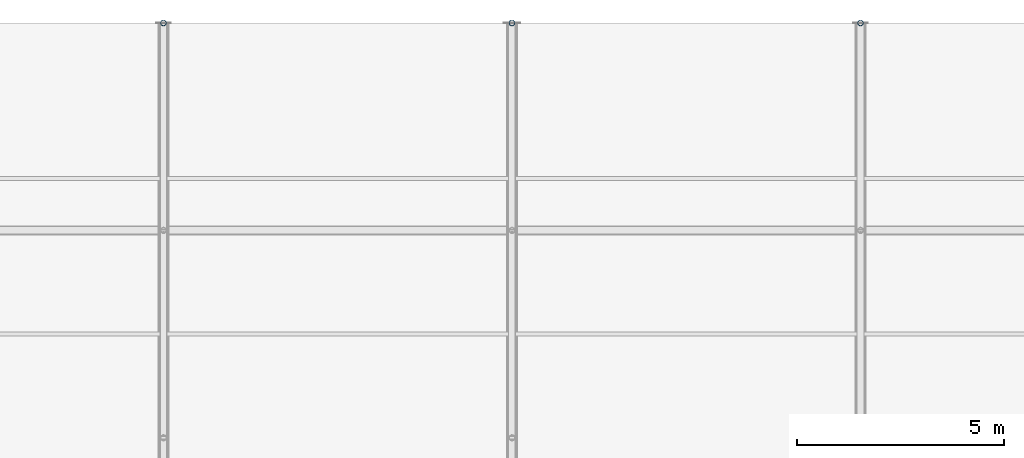
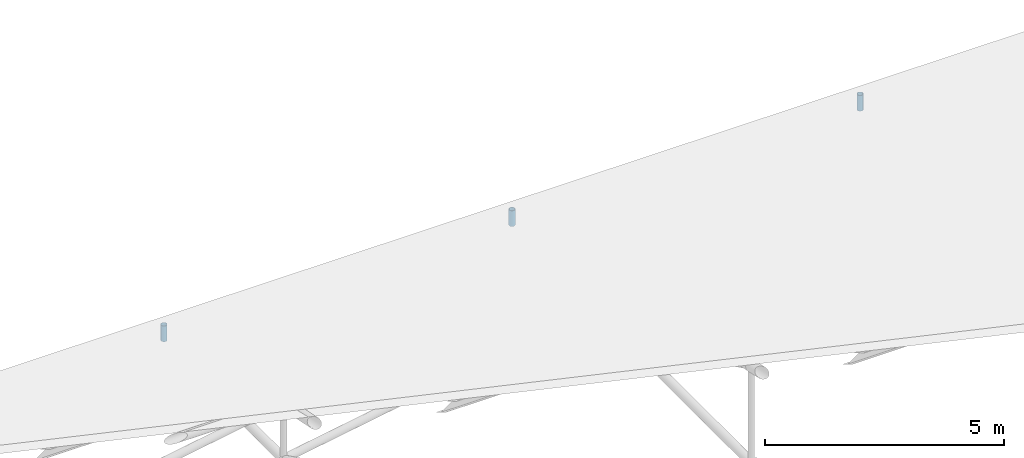
# One storey, part 149 of 194: 3 members.
"""IFC4 building model written with IfcOpenShell, lengths in metres."""

from ifc_helpers import new_model, si_unit, direction, frame, origin, origin_2d, place, context, subcontext, project, spatial, hollow_circle, extrude, material, material_profile, profile_set, type_object, element, save


model = new_model("IFC4")

# Units and contexts
model_context = context("Model", 3, precision=1e-05, world=origin(), true_north=direction((0.0, 1.0)))
body_context = subcontext(model_context, "Body", "Model", "MODEL_VIEW")
ifc_project = project(units=[si_unit("LENGTHUNIT", "METRE"), si_unit("AREAUNIT", "SQUARE_METRE"), si_unit("VOLUMEUNIT", "CUBIC_METRE"), si_unit("PLANEANGLEUNIT", "RADIAN"), si_unit("MASSUNIT", "GRAM", prefix="KILO")], contexts=[model_context])

# Site, building, storey
site_placement = place(None, origin())
site = spatial("IfcSite", under=ifc_project, at=site_placement, CompositionType="ELEMENT")
building_placement = place(site_placement, origin())
building = spatial("IfcBuilding", under=site, at=building_placement, Name="Kazenagashi Tramway Depot", CompositionType="ELEMENT")
storey_placement = place(building_placement, frame((0.0, 0.0, 23.7)))
storey = spatial("IfcBuildingStorey", under=building, at=storey_placement, Name="ROOF", CompositionType="ELEMENT", Elevation=23.7)

# Members
ifc_material = material(Name="Steel STK490", Category="steel")
ifc_material_profile = material_profile(ifc_material, hollow_circle(Radius=0.0699, WallThickness=0.0066, at=origin_2d()), Name="CHS-139.8x6.6")
ifc_profile_set = profile_set([ifc_material_profile], Name="Steel STK490")
member_type = type_object("IfcMemberType", Name="TS-02", PredefinedType="STRUT", material=ifc_profile_set)
for number, where, z_axis, x_axis, name in (
    (1, (70.0, 130.0, -14.1), (0.0, 0.0, 1.0), (1.0, 0.0, 0.0), "Tubular Space Frame TS-02 MEM-0238"),
    (2, (78.4, 130.0, -14.1), (0.0, 0.0, 1.0), (1.0, 0.0, 0.0), "Tubular Space Frame TS-02 MEM-0299"),
    (3, (86.8, 130.0, -14.1), (0.0, 0.0, 1.0), (1.0, 0.0, 0.0), "Tubular Space Frame TS-02 MEM-0360"),
):
    element("IfcMember", number, at=place(storey_placement, frame(where, z_axis=z_axis, x_axis=x_axis)), inside=storey, type_object=member_type, Name=name, PredefinedType="STRUT", context=body_context, shape_type="SweptSolid", body=[
        extrude(hollow_circle(Radius=0.0699, WallThickness=0.0066, at=origin_2d()), origin(), (0.0, 0.0, 1.0), 0.4),
    ])

save(model, "model.ifc")
